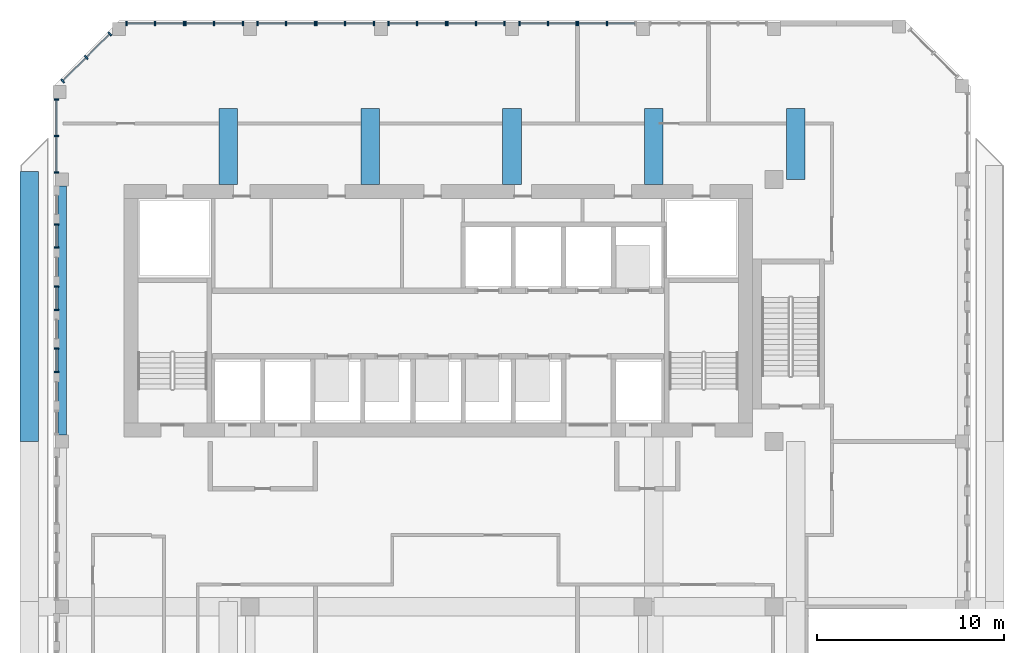
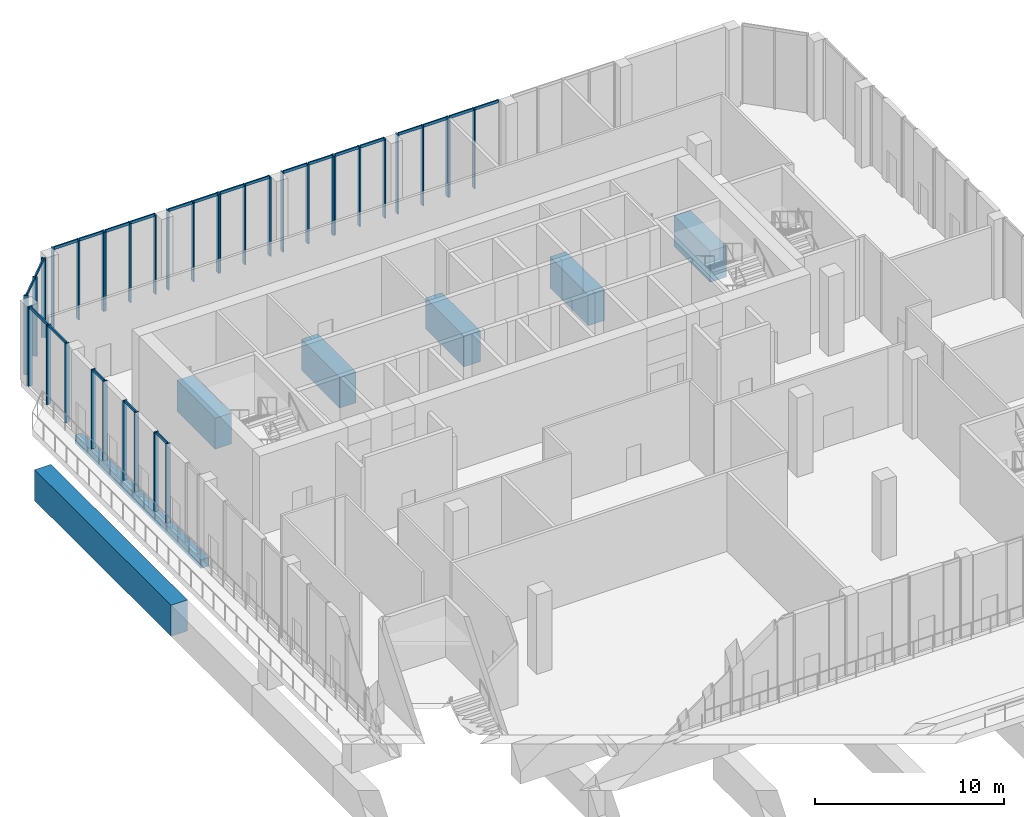
# One storey, part 5 of 18: 58 members, 7 beams, 13 elements without a shape of their own.
"""IFC4 building model written with IfcOpenShell, lengths in metres."""

from ifc_helpers import new_model, si_unit, direction, frame, origin, origin_2d, place, context, subcontext, project, spatial, rectangle, extrude, source, transform, mapped, material, material_profile, profile_set, type_object, element, aggregate, save


model = new_model("IFC4")

# Units and contexts
model_context = context("Model", 3, precision=1e-05, world=origin(), true_north=direction((0.0, 1.0)))
body_context = subcontext(model_context, "Body", "Model", "MODEL_VIEW")
ifc_project = project(units=[si_unit("LENGTHUNIT", "METRE"), si_unit("AREAUNIT", "SQUARE_METRE"), si_unit("VOLUMEUNIT", "CUBIC_METRE"), si_unit("PLANEANGLEUNIT", "RADIAN"), si_unit("MASSUNIT", "GRAM", prefix="KILO")], contexts=[model_context])

# Site, building, storey
site_placement = place(None, origin())
site = spatial("IfcSite", under=ifc_project, at=site_placement, CompositionType="ELEMENT")
building_placement = place(site_placement, origin())
building = spatial("IfcBuilding", under=site, at=building_placement, Name="Kilnfold Tower and Market Hall", CompositionType="ELEMENT")
storey_placement = place(building_placement, frame((0.0, 0.0, 233.60009765625)))
storey = spatial("IfcBuildingStorey", under=building, at=storey_placement, Name="L56", CompositionType="ELEMENT", Elevation=233.60009765625)

# Beams
ifc_material_1 = material(Name="Concrete C60", Category="concrete")
ifc_material_profile_1 = material_profile(ifc_material_1, rectangle(XDim=1.0, YDim=2.0, at=origin_2d()), Name="RC 1000x2000")
ifc_profile_set_1 = profile_set([ifc_material_profile_1], Name="Concrete C60")
beam_type_1 = type_object("IfcBeamType", Name="TRANSFER GIRDER 1000X2000 C60", PredefinedType="BEAM", material=ifc_profile_set_1)
shared_shape_1 = source(origin(), body_context, "Body", "SweptSolid", [
    extrude(rectangle(XDim=1.0, YDim=2.0, at=origin_2d()), origin(), (0.0, 0.0, 1.0), 14.431884765625),
])
beam_1_placement = place(storey_placement, frame((-20.800048828125, 8.0, -3.400146484375), z_axis=(0.0, 1.0, 0.0), x_axis=(-1.0, 0.0, 0.0)))
element("IfcBeam", 1, at=beam_1_placement, inside=storey, type_object=beam_type_1, Name="Beam TG2000-B7.5", PredefinedType="BEAM", context=body_context, shape_type="MappedRepresentation", body=[
    mapped(shared_shape_1, transform((0.0, 0.0, 0.0))),
])
shared_shape_2 = source(origin(), body_context, "Body", "SweptSolid", [
    extrude(rectangle(XDim=1.0, YDim=2.0, at=origin_2d()), origin(), (0.0, 0.0, 1.0), 4.050048828125),
])
for number, where, z_axis, x_axis, name in (
    (2, (-10.169921875, 21.75, -3.400146484375), (0.0, 1.0, 0.0), (-1.0, 0.0, 0.0), "Beam TG2000-B7.10"),
    (3, (-2.580078125, 21.75, -3.400146484375), (0.0, 1.0, 0.0), (-1.0, 0.0, 0.0), "Beam TG2000-B7.12"),
    (4, (5.0, 21.75, -3.400146484375), (0.0, 1.0, 0.0), (-1.0, 0.0, 0.0), "Beam TG2000-B7.14"),
    (5, (12.580078125, 21.75, -3.400146484375), (0.0, 1.0, 0.0), (-1.0, 0.0, 0.0), "Beam TG2000-B7.19"),
):
    element("IfcBeam", number, at=place(storey_placement, frame(where, z_axis=z_axis, x_axis=x_axis)), inside=storey, type_object=beam_type_1, Name=name, PredefinedType="BEAM", context=body_context, shape_type="MappedRepresentation", body=[
        mapped(shared_shape_2, transform((0.0, 0.0, 0.0))),
    ])
shared_shape_3 = source(origin(), body_context, "Body", "SweptSolid", [
    extrude(rectangle(XDim=1.0, YDim=2.0, at=origin_2d()), origin(), (0.0, 0.0, 1.0), 3.800048828125),
])
beam_2_placement = place(storey_placement, frame((20.169921875, 22.0, -3.400146484375), z_axis=(0.0, 1.0, 0.0), x_axis=(-1.0, 0.0, 0.0)))
element("IfcBeam", 6, at=beam_2_placement, inside=storey, type_object=beam_type_1, Name="Beam TG2000-B7.23", PredefinedType="BEAM", context=body_context, shape_type="MappedRepresentation", body=[
    mapped(shared_shape_3, transform((0.0, 0.0, 0.0))),
])
ifc_material_2 = material(Name="Concrete C45", Category="concrete")
ifc_material_profile_2 = material_profile(ifc_material_2, rectangle(XDim=0.449951171875, YDim=0.550048828125, at=origin_2d()), Name="RC 450x550")
ifc_profile_set_2 = profile_set([ifc_material_profile_2], Name="Concrete C45")
beam_type_2 = type_object("IfcBeamType", Name="EDGE BEAM 450X550 C45", PredefinedType="BEAM", material=ifc_profile_set_2)
shared_shape_4 = source(origin(), body_context, "Body", "SweptSolid", [
    extrude(rectangle(XDim=0.449951171875, YDim=0.550048828125, at=origin_2d()), origin(), (0.0, 0.0, 1.0), 13.2998046875),
])
beam_3_placement = place(storey_placement, frame((-19.050048828125, 8.35009765625, -0.675048828125), z_axis=(0.0, 1.0, 0.0), x_axis=(-1.0, 0.0, 0.0)))
element("IfcBeam", 7, at=beam_3_placement, inside=storey, type_object=beam_type_2, Name="Beam EB550-B7.50", PredefinedType="BEAM", context=body_context, shape_type="MappedRepresentation", body=[
    mapped(shared_shape_4, transform((0.0, 0.0, 0.0))),
])

# Curtain wall, members
ifc_material_3 = material(Name="Aluminium and double glazing", Category="aluminium")
curtain_wall_type = type_object("IfcCurtainWallType", Name="CW SKY LOBBY GLAZING", PredefinedType="NOTDEFINED", material=ifc_material_3)
curtain_wall_1_placement = place(storey_placement, origin())
curtain_wall_1 = element("IfcCurtainWall", 8, at=curtain_wall_1_placement, inside=storey, type_object=curtain_wall_type, Name="Curtain wall CW3 L56 N", PredefinedType="NOTDEFINED")
ifc_material_4 = material(Name="Aluminium", Category="aluminium")
ifc_material_profile_3 = material_profile(ifc_material_4, rectangle(XDim=0.080078125, YDim=0.25, at=origin_2d()), Name="MULLION 80x250")
ifc_profile_set_3 = profile_set([ifc_material_profile_3], Name="Aluminium")
member_type_1 = type_object("IfcMemberType", Name="MULLION 80X250", PredefinedType="MULLION", material=ifc_profile_set_3)
shared_shape_5 = source(origin(), body_context, "Body", "SweptSolid", [
    extrude(rectangle(XDim=0.080078125, YDim=0.25, at=origin_2d()), origin(), (0.0, 0.0, 1.0), 5.119873046875),
])
member_1_placement = place(storey_placement, frame((10.074951171875, 30.35009765625, 0.0), z_axis=(0.0, 0.0, 1.0), x_axis=(-1.0, 0.0, 0.0)))
member_1 = element("IfcMember", 9, at=member_1_placement, type_object=member_type_1, Name="CW3 mullion 2", PredefinedType="MULLION", context=body_context, shape_type="MappedRepresentation", body=[
    mapped(shared_shape_5, transform((0.0, 0.0, 0.0))),
])
member_2_placement = place(storey_placement, frame((8.5400390625, 30.35009765625, 0.0), z_axis=(0.0, 0.0, 1.0), x_axis=(-1.0, 0.0, 0.0)))
member_2 = element("IfcMember", 10, at=member_2_placement, type_object=member_type_1, Name="CW3 mullion 3", PredefinedType="MULLION", context=body_context, shape_type="MappedRepresentation", body=[
    mapped(shared_shape_5, transform((0.0, 0.0, 0.0))),
])

curtain_wall_2_placement = place(storey_placement, origin())
curtain_wall_2 = element("IfcCurtainWall", 11, at=curtain_wall_2_placement, inside=storey, type_object=curtain_wall_type, Name="Curtain wall CW3 L56 N", PredefinedType="NOTDEFINED")
member_3_placement = place(storey_placement, frame((8.4599609375, 30.35009765625, 0.0), z_axis=(0.0, 0.0, 1.0), x_axis=(-1.0, 0.0, 0.0)))
member_3 = element("IfcMember", 12, at=member_3_placement, type_object=member_type_1, Name="CW3 mullion 1", PredefinedType="MULLION", context=body_context, shape_type="MappedRepresentation", body=[
    mapped(shared_shape_5, transform((0.0, 0.0, 0.0))),
])
member_4_placement = place(storey_placement, frame((6.925048828125, 30.35009765625, 0.0), z_axis=(0.0, 0.0, 1.0), x_axis=(-1.0, 0.0, 0.0)))
member_4 = element("IfcMember", 13, at=member_4_placement, type_object=member_type_1, Name="CW3 mullion 2", PredefinedType="MULLION", context=body_context, shape_type="MappedRepresentation", body=[
    mapped(shared_shape_5, transform((0.0, 0.0, 0.0))),
])
member_5_placement = place(storey_placement, frame((5.389892578125, 30.35009765625, 0.0), z_axis=(0.0, 0.0, 1.0), x_axis=(-1.0, 0.0, 0.0)))
member_5 = element("IfcMember", 14, at=member_5_placement, type_object=member_type_1, Name="CW3 mullion 3", PredefinedType="MULLION", context=body_context, shape_type="MappedRepresentation", body=[
    mapped(shared_shape_5, transform((0.0, 0.0, 0.0))),
])

curtain_wall_3_placement = place(storey_placement, origin())
curtain_wall_3 = element("IfcCurtainWall", 15, at=curtain_wall_3_placement, inside=storey, type_object=curtain_wall_type, Name="Curtain wall CW3 L56 N", PredefinedType="NOTDEFINED")
member_6_placement = place(storey_placement, frame((4.610107421875, 30.35009765625, 0.0), z_axis=(0.0, 0.0, 1.0), x_axis=(-1.0, 0.0, 0.0)))
member_6 = element("IfcMember", 16, at=member_6_placement, type_object=member_type_1, Name="CW3 mullion 1", PredefinedType="MULLION", context=body_context, shape_type="MappedRepresentation", body=[
    mapped(shared_shape_5, transform((0.0, 0.0, 0.0))),
])
member_7_placement = place(storey_placement, frame((3.074951171875, 30.35009765625, 0.0), z_axis=(0.0, 0.0, 1.0), x_axis=(-1.0, 0.0, 0.0)))
member_7 = element("IfcMember", 17, at=member_7_placement, type_object=member_type_1, Name="CW3 mullion 2", PredefinedType="MULLION", context=body_context, shape_type="MappedRepresentation", body=[
    mapped(shared_shape_5, transform((0.0, 0.0, 0.0))),
])
member_8_placement = place(storey_placement, frame((1.5400390625, 30.35009765625, 0.0), z_axis=(0.0, 0.0, 1.0), x_axis=(-1.0, 0.0, 0.0)))
member_8 = element("IfcMember", 18, at=member_8_placement, type_object=member_type_1, Name="CW3 mullion 3", PredefinedType="MULLION", context=body_context, shape_type="MappedRepresentation", body=[
    mapped(shared_shape_5, transform((0.0, 0.0, 0.0))),
])

curtain_wall_4_placement = place(storey_placement, origin())
curtain_wall_4 = element("IfcCurtainWall", 19, at=curtain_wall_4_placement, inside=storey, type_object=curtain_wall_type, Name="Curtain wall CW3 L56 N", PredefinedType="NOTDEFINED")
member_9_placement = place(storey_placement, frame((1.4599609375, 30.35009765625, 0.0), z_axis=(0.0, 0.0, 1.0), x_axis=(-1.0, 0.0, 0.0)))
member_9 = element("IfcMember", 20, at=member_9_placement, type_object=member_type_1, Name="CW3 mullion 1", PredefinedType="MULLION", context=body_context, shape_type="MappedRepresentation", body=[
    mapped(shared_shape_5, transform((0.0, 0.0, 0.0))),
])
member_10_placement = place(storey_placement, frame((-0.074951171875, 30.35009765625, 0.0), z_axis=(0.0, 0.0, 1.0), x_axis=(-1.0, 0.0, 0.0)))
member_10 = element("IfcMember", 21, at=member_10_placement, type_object=member_type_1, Name="CW3 mullion 2", PredefinedType="MULLION", context=body_context, shape_type="MappedRepresentation", body=[
    mapped(shared_shape_5, transform((0.0, 0.0, 0.0))),
])
member_11_placement = place(storey_placement, frame((-1.610107421875, 30.35009765625, 0.0), z_axis=(0.0, 0.0, 1.0), x_axis=(-1.0, 0.0, 0.0)))
member_11 = element("IfcMember", 22, at=member_11_placement, type_object=member_type_1, Name="CW3 mullion 3", PredefinedType="MULLION", context=body_context, shape_type="MappedRepresentation", body=[
    mapped(shared_shape_5, transform((0.0, 0.0, 0.0))),
])

curtain_wall_5_placement = place(storey_placement, origin())
curtain_wall_5 = element("IfcCurtainWall", 23, at=curtain_wall_5_placement, inside=storey, type_object=curtain_wall_type, Name="Curtain wall CW3 L56 N", PredefinedType="NOTDEFINED")
member_12_placement = place(storey_placement, frame((-2.389892578125, 30.35009765625, 0.0), z_axis=(0.0, 0.0, 1.0), x_axis=(-1.0, 0.0, 0.0)))
member_12 = element("IfcMember", 24, at=member_12_placement, type_object=member_type_1, Name="CW3 mullion 1", PredefinedType="MULLION", context=body_context, shape_type="MappedRepresentation", body=[
    mapped(shared_shape_5, transform((0.0, 0.0, 0.0))),
])
member_13_placement = place(storey_placement, frame((-3.925048828125, 30.35009765625, 0.0), z_axis=(0.0, 0.0, 1.0), x_axis=(-1.0, 0.0, 0.0)))
member_13 = element("IfcMember", 25, at=member_13_placement, type_object=member_type_1, Name="CW3 mullion 2", PredefinedType="MULLION", context=body_context, shape_type="MappedRepresentation", body=[
    mapped(shared_shape_5, transform((0.0, 0.0, 0.0))),
])
member_14_placement = place(storey_placement, frame((-5.4599609375, 30.35009765625, 0.0), z_axis=(0.0, 0.0, 1.0), x_axis=(-1.0, 0.0, 0.0)))
member_14 = element("IfcMember", 26, at=member_14_placement, type_object=member_type_1, Name="CW3 mullion 3", PredefinedType="MULLION", context=body_context, shape_type="MappedRepresentation", body=[
    mapped(shared_shape_5, transform((0.0, 0.0, 0.0))),
])

curtain_wall_6_placement = place(storey_placement, origin())
curtain_wall_6 = element("IfcCurtainWall", 27, at=curtain_wall_6_placement, inside=storey, type_object=curtain_wall_type, Name="Curtain wall CW3 L56 N", PredefinedType="NOTDEFINED")
member_15_placement = place(storey_placement, frame((-5.5400390625, 30.35009765625, 0.0), z_axis=(0.0, 0.0, 1.0), x_axis=(-1.0, 0.0, 0.0)))
member_15 = element("IfcMember", 28, at=member_15_placement, type_object=member_type_1, Name="CW3 mullion 1", PredefinedType="MULLION", context=body_context, shape_type="MappedRepresentation", body=[
    mapped(shared_shape_5, transform((0.0, 0.0, 0.0))),
])
member_16_placement = place(storey_placement, frame((-7.074951171875, 30.35009765625, 0.0), z_axis=(0.0, 0.0, 1.0), x_axis=(-1.0, 0.0, 0.0)))
member_16 = element("IfcMember", 29, at=member_16_placement, type_object=member_type_1, Name="CW3 mullion 2", PredefinedType="MULLION", context=body_context, shape_type="MappedRepresentation", body=[
    mapped(shared_shape_5, transform((0.0, 0.0, 0.0))),
])
member_17_placement = place(storey_placement, frame((-8.610107421875, 30.35009765625, 0.0), z_axis=(0.0, 0.0, 1.0), x_axis=(-1.0, 0.0, 0.0)))
member_17 = element("IfcMember", 30, at=member_17_placement, type_object=member_type_1, Name="CW3 mullion 3", PredefinedType="MULLION", context=body_context, shape_type="MappedRepresentation", body=[
    mapped(shared_shape_5, transform((0.0, 0.0, 0.0))),
])

curtain_wall_7_placement = place(storey_placement, origin())
curtain_wall_7 = element("IfcCurtainWall", 31, at=curtain_wall_7_placement, inside=storey, type_object=curtain_wall_type, Name="Curtain wall CW3 L56 N", PredefinedType="NOTDEFINED")
member_18_placement = place(storey_placement, frame((-9.389892578125, 30.35009765625, 0.0), z_axis=(0.0, 0.0, 1.0), x_axis=(-1.0, 0.0, 0.0)))
member_18 = element("IfcMember", 32, at=member_18_placement, type_object=member_type_1, Name="CW3 mullion 1", PredefinedType="MULLION", context=body_context, shape_type="MappedRepresentation", body=[
    mapped(shared_shape_5, transform((0.0, 0.0, 0.0))),
])
member_19_placement = place(storey_placement, frame((-10.925048828125, 30.35009765625, 0.0), z_axis=(0.0, 0.0, 1.0), x_axis=(-1.0, 0.0, 0.0)))
member_19 = element("IfcMember", 33, at=member_19_placement, type_object=member_type_1, Name="CW3 mullion 2", PredefinedType="MULLION", context=body_context, shape_type="MappedRepresentation", body=[
    mapped(shared_shape_5, transform((0.0, 0.0, 0.0))),
])
member_20_placement = place(storey_placement, frame((-12.4599609375, 30.35009765625, 0.0), z_axis=(0.0, 0.0, 1.0), x_axis=(-1.0, 0.0, 0.0)))
member_20 = element("IfcMember", 34, at=member_20_placement, type_object=member_type_1, Name="CW3 mullion 3", PredefinedType="MULLION", context=body_context, shape_type="MappedRepresentation", body=[
    mapped(shared_shape_5, transform((0.0, 0.0, 0.0))),
])

curtain_wall_8_placement = place(storey_placement, origin())
curtain_wall_8 = element("IfcCurtainWall", 35, at=curtain_wall_8_placement, inside=storey, type_object=curtain_wall_type, Name="Curtain wall CW3 L56 N", PredefinedType="NOTDEFINED")
member_21_placement = place(storey_placement, frame((-12.5400390625, 30.35009765625, 0.0), z_axis=(0.0, 0.0, 1.0), x_axis=(-1.0, 0.0, 0.0)))
member_21 = element("IfcMember", 36, at=member_21_placement, type_object=member_type_1, Name="CW3 mullion 1", PredefinedType="MULLION", context=body_context, shape_type="MappedRepresentation", body=[
    mapped(shared_shape_5, transform((0.0, 0.0, 0.0))),
])
member_22_placement = place(storey_placement, frame((-14.074951171875, 30.35009765625, 0.0), z_axis=(0.0, 0.0, 1.0), x_axis=(-1.0, 0.0, 0.0)))
member_22 = element("IfcMember", 37, at=member_22_placement, type_object=member_type_1, Name="CW3 mullion 2", PredefinedType="MULLION", context=body_context, shape_type="MappedRepresentation", body=[
    mapped(shared_shape_5, transform((0.0, 0.0, 0.0))),
])
member_23_placement = place(storey_placement, frame((-15.610107421875, 30.35009765625, 0.0), z_axis=(0.0, 0.0, 1.0), x_axis=(-1.0, 0.0, 0.0)))
member_23 = element("IfcMember", 38, at=member_23_placement, type_object=member_type_1, Name="CW3 mullion 3", PredefinedType="MULLION", context=body_context, shape_type="MappedRepresentation", body=[
    mapped(shared_shape_5, transform((0.0, 0.0, 0.0))),
])

curtain_wall_9_placement = place(storey_placement, origin())
curtain_wall_9 = element("IfcCurtainWall", 39, at=curtain_wall_9_placement, inside=storey, type_object=curtain_wall_type, Name="Curtain wall CW3 L56 NW", PredefinedType="NOTDEFINED")
member_24_placement = place(storey_placement, frame((-16.497314453125, 29.79052734375, 0.0), z_axis=(0.0, 0.0, 1.0), x_axis=(-0.707106781187, -0.707106781187, 0.0)))
member_24 = element("IfcMember", 40, at=member_24_placement, type_object=member_type_1, Name="CW3 mullion 1", PredefinedType="MULLION", context=body_context, shape_type="MappedRepresentation", body=[
    mapped(shared_shape_5, transform((0.0, 0.0, 0.0))),
])
member_25_placement = place(storey_placement, frame((-17.756591796875, 28.531494140625, 0.0), z_axis=(0.0, 0.0, 1.0), x_axis=(-0.707106781187, -0.707106781187, 0.0)))
member_25 = element("IfcMember", 41, at=member_25_placement, type_object=member_type_1, Name="CW3 mullion 2", PredefinedType="MULLION", context=body_context, shape_type="MappedRepresentation", body=[
    mapped(shared_shape_5, transform((0.0, 0.0, 0.0))),
])
member_26_placement = place(storey_placement, frame((-19.015625, 27.272216796875, 0.0), z_axis=(0.0, 0.0, 1.0), x_axis=(-0.707106781187, -0.707106781187, 0.0)))
member_26 = element("IfcMember", 42, at=member_26_placement, type_object=member_type_1, Name="CW3 mullion 3", PredefinedType="MULLION", context=body_context, shape_type="MappedRepresentation", body=[
    mapped(shared_shape_5, transform((0.0, 0.0, 0.0))),
])

curtain_wall_10_placement = place(storey_placement, origin())
curtain_wall_10 = element("IfcCurtainWall", 43, at=curtain_wall_10_placement, inside=storey, type_object=curtain_wall_type, Name="Curtain wall CW3 L56 W", PredefinedType="NOTDEFINED")
member_27_placement = place(storey_placement, frame((-19.35009765625, 26.291748046875, 0.0), z_axis=(0.0, 0.0, 1.0), x_axis=(0.0, -1.0, 0.0)))
member_27 = element("IfcMember", 44, at=member_27_placement, type_object=member_type_1, Name="CW3 mullion 1", PredefinedType="MULLION", context=body_context, shape_type="MappedRepresentation", body=[
    mapped(shared_shape_5, transform((0.0, 0.0, 0.0))),
])
member_28_placement = place(storey_placement, frame((-19.35009765625, 24.3408203125, 0.0), z_axis=(0.0, 0.0, 1.0), x_axis=(0.0, -1.0, 0.0)))
member_28 = element("IfcMember", 45, at=member_28_placement, type_object=member_type_1, Name="CW3 mullion 2", PredefinedType="MULLION", context=body_context, shape_type="MappedRepresentation", body=[
    mapped(shared_shape_5, transform((0.0, 0.0, 0.0))),
])
member_29_placement = place(storey_placement, frame((-19.35009765625, 22.389892578125, 0.0), z_axis=(0.0, 0.0, 1.0), x_axis=(0.0, -1.0, 0.0)))
member_29 = element("IfcMember", 46, at=member_29_placement, type_object=member_type_1, Name="CW3 mullion 3", PredefinedType="MULLION", context=body_context, shape_type="MappedRepresentation", body=[
    mapped(shared_shape_5, transform((0.0, 0.0, 0.0))),
])

curtain_wall_11_placement = place(storey_placement, origin())
curtain_wall_11 = element("IfcCurtainWall", 47, at=curtain_wall_11_placement, inside=storey, type_object=curtain_wall_type, Name="Curtain wall CW3 L56 W", PredefinedType="NOTDEFINED")
member_30_placement = place(storey_placement, frame((-19.35009765625, 19.610107421875, 0.0), z_axis=(0.0, 0.0, 1.0), x_axis=(0.0, -1.0, 0.0)))
member_30 = element("IfcMember", 48, at=member_30_placement, type_object=member_type_1, Name="CW3 mullion 1", PredefinedType="MULLION", context=body_context, shape_type="MappedRepresentation", body=[
    mapped(shared_shape_5, transform((0.0, 0.0, 0.0))),
])
member_31_placement = place(storey_placement, frame((-19.35009765625, 18.364990234375, 0.0), z_axis=(0.0, 0.0, 1.0), x_axis=(0.0, -1.0, 0.0)))
member_31 = element("IfcMember", 49, at=member_31_placement, type_object=member_type_1, Name="CW3 mullion 2", PredefinedType="MULLION", context=body_context, shape_type="MappedRepresentation", body=[
    mapped(shared_shape_5, transform((0.0, 0.0, 0.0))),
])

curtain_wall_12_placement = place(storey_placement, origin())
curtain_wall_12 = element("IfcCurtainWall", 50, at=curtain_wall_12_placement, inside=storey, type_object=curtain_wall_type, Name="Curtain wall CW3 L56 W", PredefinedType="NOTDEFINED")
member_32_placement = place(storey_placement, frame((-19.35009765625, 16.284912109375, 0.0), z_axis=(0.0, 0.0, 1.0), x_axis=(0.0, -1.0, 0.0)))
member_32 = element("IfcMember", 51, at=member_32_placement, type_object=member_type_1, Name="CW3 mullion 1", PredefinedType="MULLION", context=body_context, shape_type="MappedRepresentation", body=[
    mapped(shared_shape_5, transform((0.0, 0.0, 0.0))),
])
member_33_placement = place(storey_placement, frame((-19.35009765625, 15.0400390625, 0.0), z_axis=(0.0, 0.0, 1.0), x_axis=(0.0, -1.0, 0.0)))
member_33 = element("IfcMember", 52, at=member_33_placement, type_object=member_type_1, Name="CW3 mullion 2", PredefinedType="MULLION", context=body_context, shape_type="MappedRepresentation", body=[
    mapped(shared_shape_5, transform((0.0, 0.0, 0.0))),
])

curtain_wall_13_placement = place(storey_placement, origin())
curtain_wall_13 = element("IfcCurtainWall", 53, at=curtain_wall_13_placement, inside=storey, type_object=curtain_wall_type, Name="Curtain wall CW3 L56 W", PredefinedType="NOTDEFINED")
member_34_placement = place(storey_placement, frame((-19.35009765625, 12.9599609375, 0.0), z_axis=(0.0, 0.0, 1.0), x_axis=(0.0, -1.0, 0.0)))
member_34 = element("IfcMember", 54, at=member_34_placement, type_object=member_type_1, Name="CW3 mullion 1", PredefinedType="MULLION", context=body_context, shape_type="MappedRepresentation", body=[
    mapped(shared_shape_5, transform((0.0, 0.0, 0.0))),
])
member_35_placement = place(storey_placement, frame((-19.35009765625, 11.715087890625, 0.0), z_axis=(0.0, 0.0, 1.0), x_axis=(0.0, -1.0, 0.0)))
member_35 = element("IfcMember", 55, at=member_35_placement, type_object=member_type_1, Name="CW3 mullion 2", PredefinedType="MULLION", context=body_context, shape_type="MappedRepresentation", body=[
    mapped(shared_shape_5, transform((0.0, 0.0, 0.0))),
])

# Member
ifc_material_5 = material(Name="Aluminium", Category="aluminium")
ifc_material_profile_4 = material_profile(ifc_material_5, rectangle(XDim=0.080078125, YDim=0.179931640625, at=origin_2d()), Name="TRANSOM 80x180")
ifc_profile_set_4 = profile_set([ifc_material_profile_4], Name="Aluminium")
member_type_2 = type_object("IfcMemberType", Name="TRANSOM 80X180", PredefinedType="USERDEFINED", material=ifc_profile_set_4)
shared_shape_6 = source(origin(), body_context, "Body", "SweptSolid", [
    extrude(rectangle(XDim=0.080078125, YDim=0.179931640625, at=origin_2d()), origin(), (0.0, 0.0, 1.0), 1.1650390625),
])
member_36_placement = place(storey_placement, frame((-19.35009765625, 19.570068359375, 5.079833984375), z_axis=(0.0, -1.0, 0.0), x_axis=(1.0, 0.0, 0.0)))
member_36 = element("IfcMember", 56, at=member_36_placement, type_object=member_type_2, Name="CW3 transom 1.2", ObjectType="TRANSOM", PredefinedType="USERDEFINED", context=body_context, shape_type="MappedRepresentation", body=[
    mapped(shared_shape_6, transform((0.0, 0.0, 0.0))),
])

aggregate(curtain_wall_11, [member_30, member_31, member_36])

member_37_placement = place(storey_placement, frame((-19.35009765625, 16.2451171875, 5.079833984375), z_axis=(0.0, -1.0, 0.0), x_axis=(1.0, 0.0, 0.0)))
member_37 = element("IfcMember", 57, at=member_37_placement, type_object=member_type_2, Name="CW3 transom 1.2", ObjectType="TRANSOM", PredefinedType="USERDEFINED", context=body_context, shape_type="MappedRepresentation", body=[
    mapped(shared_shape_6, transform((0.0, 0.0, 0.0))),
])

aggregate(curtain_wall_12, [member_32, member_33, member_37])

member_38_placement = place(storey_placement, frame((-19.35009765625, 12.919921875, 5.079833984375), z_axis=(0.0, -1.0, 0.0), x_axis=(1.0, 0.0, 0.0)))
member_38 = element("IfcMember", 58, at=member_38_placement, type_object=member_type_2, Name="CW3 transom 1.2", ObjectType="TRANSOM", PredefinedType="USERDEFINED", context=body_context, shape_type="MappedRepresentation", body=[
    mapped(shared_shape_6, transform((0.0, 0.0, 0.0))),
])

aggregate(curtain_wall_13, [member_34, member_35, member_38])

shared_shape_7 = source(origin(), body_context, "Body", "SweptSolid", [
    extrude(rectangle(XDim=0.080078125, YDim=0.179931640625, at=origin_2d()), origin(), (0.0, 0.0, 1.0), 1.700927734375),
])
member_39_placement = place(storey_placement, frame((-16.525634765625, 29.762451171875, 5.079833984375), z_axis=(-0.707035011912, -0.707178543177, 0.0), x_axis=(0.707178543177, -0.707035011912, 0.0)))
member_39 = element("IfcMember", 59, at=member_39_placement, type_object=member_type_2, Name="CW3 transom 1.2", ObjectType="TRANSOM", PredefinedType="USERDEFINED", context=body_context, shape_type="MappedRepresentation", body=[
    mapped(shared_shape_7, transform((0.0, 0.0, 0.0))),
])

member_40_placement = place(storey_placement, frame((-17.78466796875, 28.503173828125, 5.079833984375), z_axis=(-0.707178543177, -0.707035011912, 0.0), x_axis=(0.707035011912, -0.707178543177, 0.0)))
member_40 = element("IfcMember", 60, at=member_40_placement, type_object=member_type_2, Name="CW3 transom 2.2", ObjectType="TRANSOM", PredefinedType="USERDEFINED", context=body_context, shape_type="MappedRepresentation", body=[
    mapped(shared_shape_7, transform((0.0, 0.0, 0.0))),
])

aggregate(curtain_wall_9, [member_24, member_25, member_26, member_39, member_40])

shared_shape_8 = source(origin(), body_context, "Body", "SweptSolid", [
    extrude(rectangle(XDim=0.080078125, YDim=0.179931640625, at=origin_2d()), origin(), (0.0, 0.0, 1.0), 1.455078125),
])
member_41_placement = place(storey_placement, frame((11.570068359375, 30.35009765625, 5.079833984375), z_axis=(-1.0, 0.0, 0.0), x_axis=(0.0, -1.0, 0.0)))
member_41 = element("IfcMember", 61, at=member_41_placement, type_object=member_type_2, Name="CW3 transom 1.2", ObjectType="TRANSOM", PredefinedType="USERDEFINED", context=body_context, shape_type="MappedRepresentation", body=[
    mapped(shared_shape_8, transform((0.0, 0.0, 0.0))),
])

member_42_placement = place(storey_placement, frame((6.885009765625, 30.35009765625, 5.079833984375), z_axis=(-1.0, 0.0, 0.0), x_axis=(0.0, -1.0, 0.0)))
member_42 = element("IfcMember", 62, at=member_42_placement, type_object=member_type_2, Name="CW3 transom 2.2", ObjectType="TRANSOM", PredefinedType="USERDEFINED", context=body_context, shape_type="MappedRepresentation", body=[
    mapped(shared_shape_8, transform((0.0, 0.0, 0.0))),
])

member_43_placement = place(storey_placement, frame((4.570068359375, 30.35009765625, 5.079833984375), z_axis=(-1.0, 0.0, 0.0), x_axis=(0.0, -1.0, 0.0)))
member_43 = element("IfcMember", 63, at=member_43_placement, type_object=member_type_2, Name="CW3 transom 1.2", ObjectType="TRANSOM", PredefinedType="USERDEFINED", context=body_context, shape_type="MappedRepresentation", body=[
    mapped(shared_shape_8, transform((0.0, 0.0, 0.0))),
])

member_44_placement = place(storey_placement, frame((-0.114990234375, 30.35009765625, 5.079833984375), z_axis=(-1.0, 0.0, 0.0), x_axis=(0.0, -1.0, 0.0)))
member_44 = element("IfcMember", 64, at=member_44_placement, type_object=member_type_2, Name="CW3 transom 2.2", ObjectType="TRANSOM", PredefinedType="USERDEFINED", context=body_context, shape_type="MappedRepresentation", body=[
    mapped(shared_shape_8, transform((0.0, 0.0, 0.0))),
])

member_45_placement = place(storey_placement, frame((-2.429931640625, 30.35009765625, 5.079833984375), z_axis=(-1.0, 0.0, 0.0), x_axis=(0.0, -1.0, 0.0)))
member_45 = element("IfcMember", 65, at=member_45_placement, type_object=member_type_2, Name="CW3 transom 1.2", ObjectType="TRANSOM", PredefinedType="USERDEFINED", context=body_context, shape_type="MappedRepresentation", body=[
    mapped(shared_shape_8, transform((0.0, 0.0, 0.0))),
])

member_46_placement = place(storey_placement, frame((-7.114990234375, 30.35009765625, 5.079833984375), z_axis=(-1.0, 0.0, 0.0), x_axis=(0.0, -1.0, 0.0)))
member_46 = element("IfcMember", 66, at=member_46_placement, type_object=member_type_2, Name="CW3 transom 2.2", ObjectType="TRANSOM", PredefinedType="USERDEFINED", context=body_context, shape_type="MappedRepresentation", body=[
    mapped(shared_shape_8, transform((0.0, 0.0, 0.0))),
])

member_47_placement = place(storey_placement, frame((-9.429931640625, 30.35009765625, 5.079833984375), z_axis=(-1.0, 0.0, 0.0), x_axis=(0.0, -1.0, 0.0)))
member_47 = element("IfcMember", 67, at=member_47_placement, type_object=member_type_2, Name="CW3 transom 1.2", ObjectType="TRANSOM", PredefinedType="USERDEFINED", context=body_context, shape_type="MappedRepresentation", body=[
    mapped(shared_shape_8, transform((0.0, 0.0, 0.0))),
])

member_48_placement = place(storey_placement, frame((-14.114990234375, 30.35009765625, 5.079833984375), z_axis=(-1.0, 0.0, 0.0), x_axis=(0.0, -1.0, 0.0)))
member_48 = element("IfcMember", 68, at=member_48_placement, type_object=member_type_2, Name="CW3 transom 2.2", ObjectType="TRANSOM", PredefinedType="USERDEFINED", context=body_context, shape_type="MappedRepresentation", body=[
    mapped(shared_shape_8, transform((0.0, 0.0, 0.0))),
])

shared_shape_9 = source(origin(), body_context, "Body", "SweptSolid", [
    extrude(rectangle(XDim=0.080078125, YDim=0.179931640625, at=origin_2d()), origin(), (0.0, 0.0, 1.0), 1.454833984375),
])
member_49_placement = place(storey_placement, frame((10.034912109375, 30.35009765625, 5.079833984375), z_axis=(-1.0, 0.0, 0.0), x_axis=(0.0, -1.0, 0.0)))
member_49 = element("IfcMember", 69, at=member_49_placement, type_object=member_type_2, Name="CW3 transom 2.2", ObjectType="TRANSOM", PredefinedType="USERDEFINED", context=body_context, shape_type="MappedRepresentation", body=[
    mapped(shared_shape_9, transform((0.0, 0.0, 0.0))),
])

aggregate(curtain_wall_1, [member_1, member_2, member_41, member_49])

member_50_placement = place(storey_placement, frame((8.419921875, 30.35009765625, 5.079833984375), z_axis=(-1.0, 0.0, 0.0), x_axis=(0.0, -1.0, 0.0)))
member_50 = element("IfcMember", 70, at=member_50_placement, type_object=member_type_2, Name="CW3 transom 1.2", ObjectType="TRANSOM", PredefinedType="USERDEFINED", context=body_context, shape_type="MappedRepresentation", body=[
    mapped(shared_shape_9, transform((0.0, 0.0, 0.0))),
])

aggregate(curtain_wall_2, [member_3, member_4, member_5, member_50, member_42])

member_51_placement = place(storey_placement, frame((3.034912109375, 30.35009765625, 5.079833984375), z_axis=(-1.0, 0.0, 0.0), x_axis=(0.0, -1.0, 0.0)))
member_51 = element("IfcMember", 71, at=member_51_placement, type_object=member_type_2, Name="CW3 transom 2.2", ObjectType="TRANSOM", PredefinedType="USERDEFINED", context=body_context, shape_type="MappedRepresentation", body=[
    mapped(shared_shape_9, transform((0.0, 0.0, 0.0))),
])

aggregate(curtain_wall_3, [member_6, member_7, member_8, member_43, member_51])

member_52_placement = place(storey_placement, frame((1.419921875, 30.35009765625, 5.079833984375), z_axis=(-1.0, 0.0, 0.0), x_axis=(0.0, -1.0, 0.0)))
member_52 = element("IfcMember", 72, at=member_52_placement, type_object=member_type_2, Name="CW3 transom 1.2", ObjectType="TRANSOM", PredefinedType="USERDEFINED", context=body_context, shape_type="MappedRepresentation", body=[
    mapped(shared_shape_9, transform((0.0, 0.0, 0.0))),
])

aggregate(curtain_wall_4, [member_9, member_10, member_11, member_52, member_44])

member_53_placement = place(storey_placement, frame((-3.965087890625, 30.35009765625, 5.079833984375), z_axis=(-1.0, 0.0, 0.0), x_axis=(0.0, -1.0, 0.0)))
member_53 = element("IfcMember", 73, at=member_53_placement, type_object=member_type_2, Name="CW3 transom 2.2", ObjectType="TRANSOM", PredefinedType="USERDEFINED", context=body_context, shape_type="MappedRepresentation", body=[
    mapped(shared_shape_9, transform((0.0, 0.0, 0.0))),
])

aggregate(curtain_wall_5, [member_12, member_13, member_14, member_45, member_53])

member_54_placement = place(storey_placement, frame((-5.580078125, 30.35009765625, 5.079833984375), z_axis=(-1.0, 0.0, 0.0), x_axis=(0.0, -1.0, 0.0)))
member_54 = element("IfcMember", 74, at=member_54_placement, type_object=member_type_2, Name="CW3 transom 1.2", ObjectType="TRANSOM", PredefinedType="USERDEFINED", context=body_context, shape_type="MappedRepresentation", body=[
    mapped(shared_shape_9, transform((0.0, 0.0, 0.0))),
])

aggregate(curtain_wall_6, [member_15, member_16, member_17, member_54, member_46])

member_55_placement = place(storey_placement, frame((-10.965087890625, 30.35009765625, 5.079833984375), z_axis=(-1.0, 0.0, 0.0), x_axis=(0.0, -1.0, 0.0)))
member_55 = element("IfcMember", 75, at=member_55_placement, type_object=member_type_2, Name="CW3 transom 2.2", ObjectType="TRANSOM", PredefinedType="USERDEFINED", context=body_context, shape_type="MappedRepresentation", body=[
    mapped(shared_shape_9, transform((0.0, 0.0, 0.0))),
])

aggregate(curtain_wall_7, [member_18, member_19, member_20, member_47, member_55])

member_56_placement = place(storey_placement, frame((-12.580078125, 30.35009765625, 5.079833984375), z_axis=(-1.0, 0.0, 0.0), x_axis=(0.0, -1.0, 0.0)))
member_56 = element("IfcMember", 76, at=member_56_placement, type_object=member_type_2, Name="CW3 transom 1.2", ObjectType="TRANSOM", PredefinedType="USERDEFINED", context=body_context, shape_type="MappedRepresentation", body=[
    mapped(shared_shape_9, transform((0.0, 0.0, 0.0))),
])

aggregate(curtain_wall_8, [member_21, member_22, member_23, member_56, member_48])

shared_shape_10 = source(origin(), body_context, "Body", "SweptSolid", [
    extrude(rectangle(XDim=0.080078125, YDim=0.179931640625, at=origin_2d()), origin(), (0.0, 0.0, 1.0), 1.870849609375),
])
member_57_placement = place(storey_placement, frame((-19.35009765625, 26.251708984375, 5.079833984375), z_axis=(0.0, -1.0, 0.0), x_axis=(1.0, 0.0, 0.0)))
member_57 = element("IfcMember", 77, at=member_57_placement, type_object=member_type_2, Name="CW3 transom 1.2", ObjectType="TRANSOM", PredefinedType="USERDEFINED", context=body_context, shape_type="MappedRepresentation", body=[
    mapped(shared_shape_10, transform((0.0, 0.0, 0.0))),
])

member_58_placement = place(storey_placement, frame((-19.35009765625, 24.30078125, 5.079833984375), z_axis=(0.0, -1.0, 0.0), x_axis=(1.0, 0.0, 0.0)))
member_58 = element("IfcMember", 78, at=member_58_placement, type_object=member_type_2, Name="CW3 transom 2.2", ObjectType="TRANSOM", PredefinedType="USERDEFINED", context=body_context, shape_type="MappedRepresentation", body=[
    mapped(shared_shape_10, transform((0.0, 0.0, 0.0))),
])

aggregate(curtain_wall_10, [member_27, member_28, member_29, member_57, member_58])

save(model, "model.ifc")
